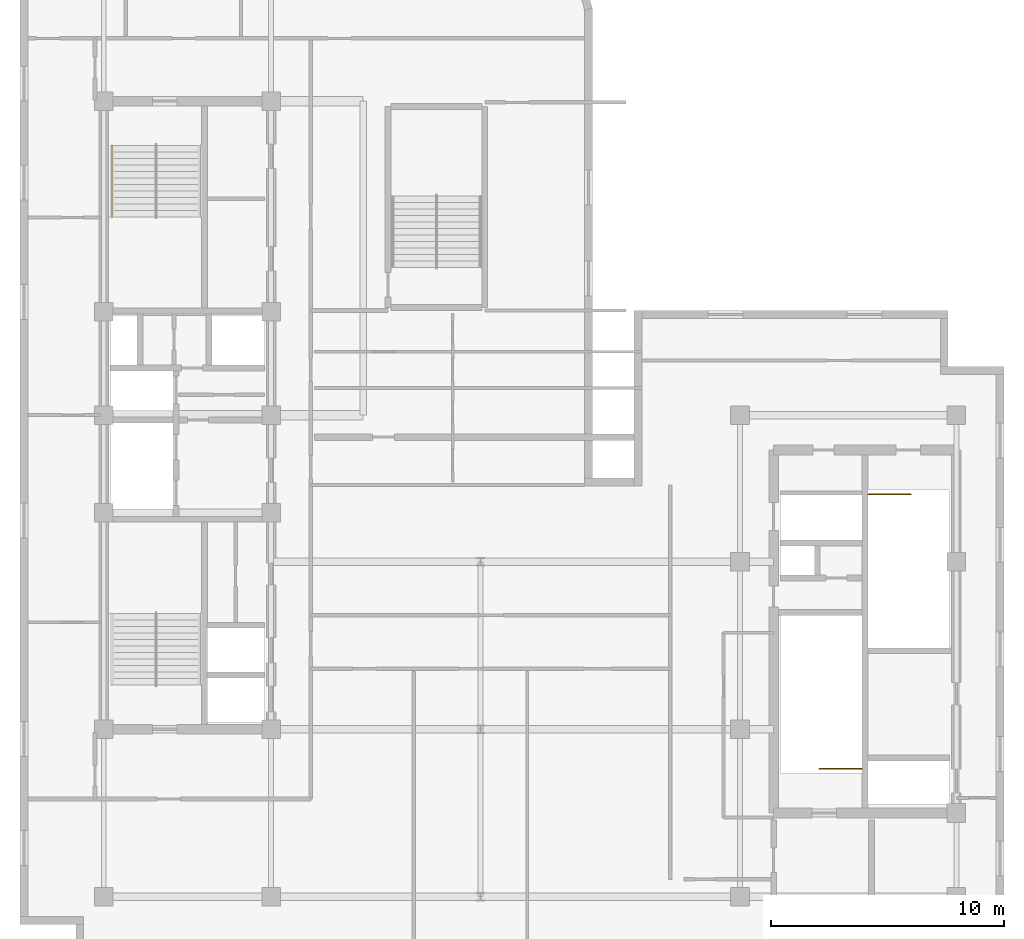
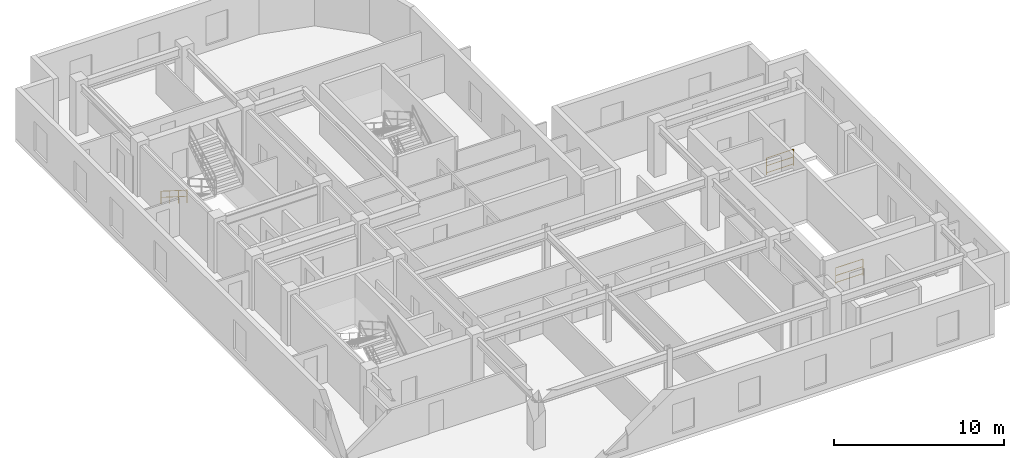
# One storey, part 9 of 10: 3 railings.
"""IFC4 building model written with IfcOpenShell, lengths in metres."""

from ifc_helpers import new_model, entity, si_unit, converted_unit, direction, frame, origin_with_axes, origin_2d_with_axis, place, context, subcontext, project, spatial, rectangle, circle, extrude, material, type_object, element, save


model = new_model("IFC4")

# Units and contexts
model_context = context("Model", 3, precision=1e-05, world=origin_with_axes(), true_north=direction((0.0, 1.0)))
body_context = subcontext(model_context, "Body", "Model", "MODEL_VIEW")
ifc_project = project(units=[si_unit("LENGTHUNIT", "METRE"), si_unit("AREAUNIT", "SQUARE_METRE"), si_unit("VOLUMEUNIT", "CUBIC_METRE"), converted_unit("PLANEANGLEUNIT", "DEGREE", entity("IfcPlaneAngleMeasure", 0.017453292519943295), si_unit("PLANEANGLEUNIT", "RADIAN"), dimensions=[0, 0, 0, 0, 0, 0, 0]), si_unit("MASSUNIT", "GRAM", prefix="KILO"), si_unit("THERMODYNAMICTEMPERATUREUNIT", "KELVIN")], contexts=[model_context])

# Site, building, storey
site_placement = place(None, origin_with_axes())
site = spatial("IfcSite", under=ifc_project, at=site_placement, CompositionType="ELEMENT")
building_placement = place(site_placement, origin_with_axes())
building = spatial("IfcBuilding", under=site, at=building_placement, Name="Varnlund Millrace Tower", CompositionType="ELEMENT")
storey_placement = place(building_placement, frame((0.0, 0.0, 284.1), z_axis=(0.0, 0.0, 1.0), x_axis=(1.0, 0.0, 0.0)))
storey = spatial("IfcBuildingStorey", under=building, at=storey_placement, Name="L70", CompositionType="ELEMENT", Elevation=284.1)

# Railings
ifc_material_1 = material(Name="Painted steel stair well balustrade guard", Category="steel")
railing_type_1 = type_object("IfcRailingType", Name="Type-StairGuard-1150", PredefinedType="GUARDRAIL", material=ifc_material_1)
railing_1_placement = place(storey_placement, frame((0.0, 0.0, -284.1), z_axis=(0.0, 0.0, 1.0), x_axis=(1.0, 0.0, 0.0)))
element("IfcRailing", 1, at=railing_1_placement, inside=storey, type_object=railing_type_1, Name="Type-StairGuard-1150", PredefinedType="GUARDRAIL", context=body_context, shape_type="SweptSolid", body=[
    extrude(circle(Radius=0.024, at=origin_2d_with_axis()), frame((44.0, 9.1, 285.25), z_axis=(-1.0, 0.0, 0.0), x_axis=(0.0, -1.0, 0.0)), (0.0, 0.0, 1.0), 1.85),
    extrude(circle(Radius=0.024, at=origin_2d_with_axis()), frame((44.0, 9.1, 284.2), z_axis=(-1.0, 0.0, 0.0), x_axis=(0.0, -1.0, 0.0)), (0.0, 0.0, 1.0), 1.85),
    extrude(circle(Radius=0.024, at=origin_2d_with_axis()), frame((44.0, 9.1, 284.698), z_axis=(-1.0, 0.0, 0.0), x_axis=(0.0, -1.0, 0.0)), (0.0, 0.0, 1.0), 1.85),
    extrude(rectangle(XDim=0.04, YDim=0.04, at=origin_2d_with_axis()), frame((44.0, 9.1, 284.06), z_axis=(0.0, 0.0, 1.0), x_axis=(1.0, 0.0, 0.0)), (0.0, 0.0, 1.0), 1.19),
    extrude(rectangle(XDim=0.04, YDim=0.04, at=origin_2d_with_axis()), frame((42.15, 9.1, 284.06), z_axis=(0.0, 0.0, 1.0), x_axis=(1.0, 0.0, 0.0)), (0.0, 0.0, 1.0), 1.19),
])
railing_2_placement = place(storey_placement, frame((0.0, 0.0, -284.1), z_axis=(0.0, 0.0, 1.0), x_axis=(1.0, 0.0, 0.0)))
element("IfcRailing", 2, at=railing_2_placement, inside=storey, type_object=railing_type_1, Name="Type-StairGuard-1150", PredefinedType="GUARDRAIL", context=body_context, shape_type="SweptSolid", body=[
    extrude(circle(Radius=0.024, at=origin_2d_with_axis()), frame((44.25, 20.9, 285.25), z_axis=(1.0, 0.0, 0.0), x_axis=(0.0, 1.0, 0.0)), (0.0, 0.0, 1.0), 1.85),
    extrude(circle(Radius=0.024, at=origin_2d_with_axis()), frame((44.25, 20.9, 284.2), z_axis=(1.0, 0.0, 0.0), x_axis=(0.0, 1.0, 0.0)), (0.0, 0.0, 1.0), 1.85),
    extrude(circle(Radius=0.024, at=origin_2d_with_axis()), frame((44.25, 20.9, 284.698), z_axis=(1.0, 0.0, 0.0), x_axis=(0.0, 1.0, 0.0)), (0.0, 0.0, 1.0), 1.85),
    extrude(rectangle(XDim=0.04, YDim=0.04, at=origin_2d_with_axis()), frame((44.25, 20.9, 284.06), z_axis=(0.0, 0.0, 1.0), x_axis=(1.0, 0.0, 0.0)), (0.0, 0.0, 1.0), 1.19),
    extrude(rectangle(XDim=0.04, YDim=0.04, at=origin_2d_with_axis()), frame((46.1, 20.9, 284.06), z_axis=(0.0, 0.0, 1.0), x_axis=(1.0, 0.0, 0.0)), (0.0, 0.0, 1.0), 1.19),
])
ifc_material_2 = material(Name="Brushed architectural bronze stair handrail", Category="aluminium")
railing_type_2 = type_object("IfcRailingType", Name="Type-StairHandrail-900", PredefinedType="HANDRAIL", material=ifc_material_2)
railing_3_placement = place(storey_placement, frame((0.0, 0.0, -284.1), z_axis=(0.0, 0.0, 1.0), x_axis=(1.0, 0.0, 0.0)))
element("IfcRailing", 3, at=railing_3_placement, inside=storey, type_object=railing_type_2, Name="Type-StairHandrail-900", PredefinedType="HANDRAIL", context=body_context, shape_type="SweptSolid", body=[
    extrude(circle(Radius=0.024, at=origin_2d_with_axis()), frame((11.75, 35.9, 285.156995), z_axis=(0.0, -0.844902, 0.534922), x_axis=(1.0, 0.0, 0.0)), (0.0, 0.0, 1.0), 3.645394),
    extrude(circle(Radius=0.024, at=origin_2d_with_axis()), frame((11.75, 35.9, 284.717134), z_axis=(0.0, -0.844902, 0.534922), x_axis=(1.0, 0.0, 0.0)), (0.0, 0.0, 1.0), 3.645394),
    extrude(rectangle(XDim=0.04, YDim=0.04, at=origin_2d_with_axis()), frame((11.75, 35.9, 284.237273), z_axis=(0.0, 0.0, 1.0), x_axis=(1.0, 0.0, 0.0)), (0.0, 0.0, 1.0), 0.919722),
    extrude(rectangle(XDim=0.04, YDim=0.04, at=origin_2d_with_axis()), frame((11.75, 34.873333, 284.887273), z_axis=(0.0, 0.0, 1.0), x_axis=(1.0, 0.0, 0.0)), (0.0, 0.0, 1.0), 0.919722),
    extrude(rectangle(XDim=0.04, YDim=0.04, at=origin_2d_with_axis()), frame((11.75, 33.846667, 285.537273), z_axis=(0.0, 0.0, 1.0), x_axis=(1.0, 0.0, 0.0)), (0.0, 0.0, 1.0), 0.919722),
    extrude(rectangle(XDim=0.04, YDim=0.04, at=origin_2d_with_axis()), frame((11.75, 32.82, 286.187273), z_axis=(0.0, 0.0, 1.0), x_axis=(1.0, 0.0, 0.0)), (0.0, 0.0, 1.0), 0.919722),
])

save(model, "model.ifc")
